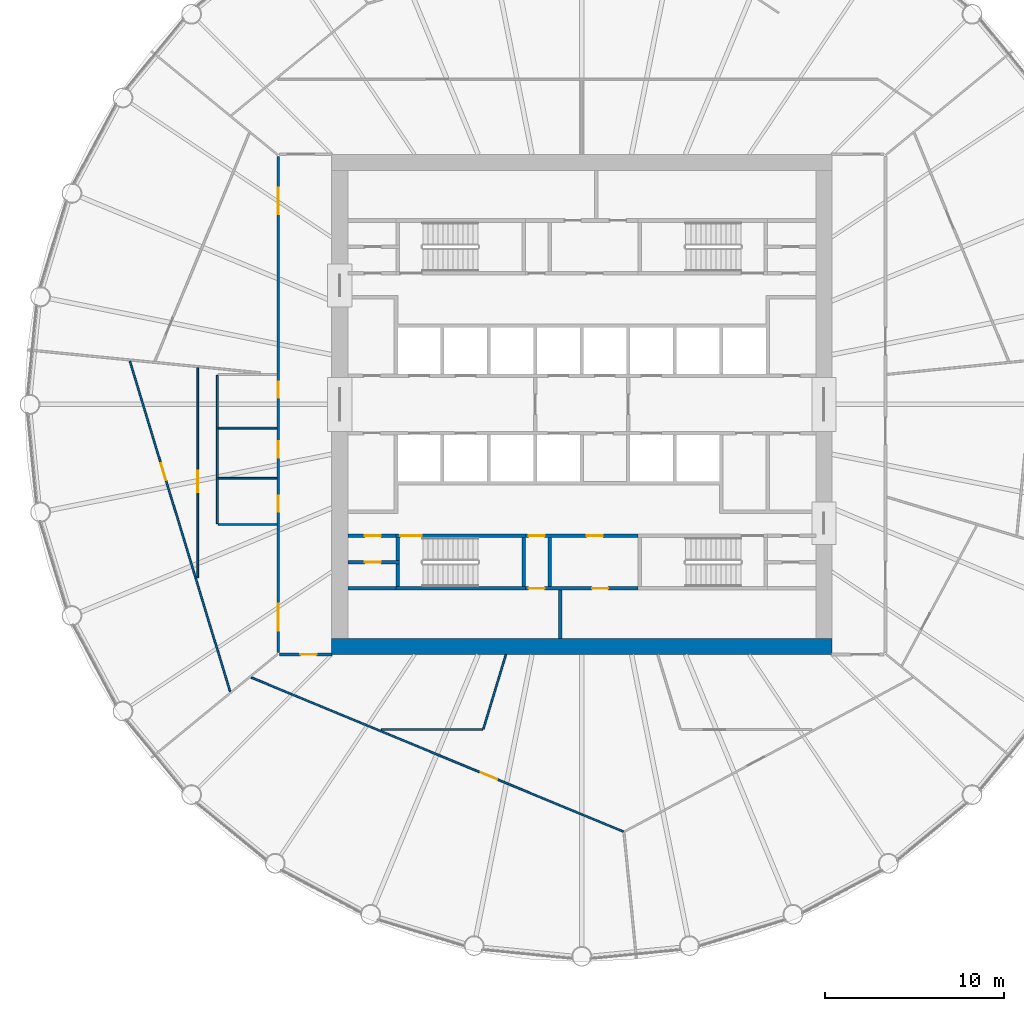
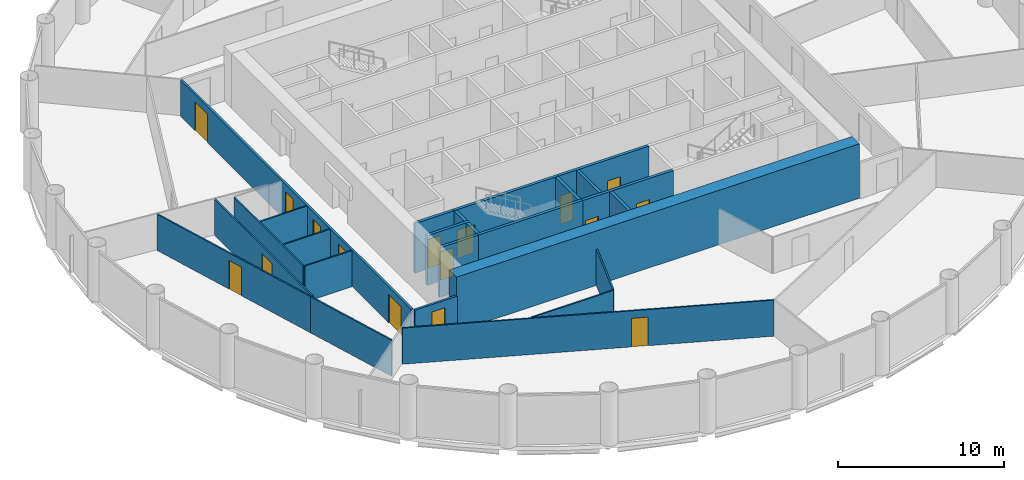
# One storey, part 4 of 9: 25 walls, 16 doors, 16 openings.
"""IFC4 building model written with IfcOpenShell, lengths in metres."""

from ifc_helpers import new_model, si_unit, direction, frame, frame_2d, origin, place, context, subcontext, project, spatial, polyline, rectangle, outline, extrude, material, layer, layer_set, type_object, element, fill, save


model = new_model("IFC4")

# Units and contexts
model_context = context("Model", 3, precision=1e-05, world=origin(), true_north=direction((0.0, 1.0)))
body_context = subcontext(model_context, "Body", "Model", "MODEL_VIEW")
ifc_project = project(units=[si_unit("LENGTHUNIT", "METRE"), si_unit("AREAUNIT", "SQUARE_METRE"), si_unit("VOLUMEUNIT", "CUBIC_METRE"), si_unit("PLANEANGLEUNIT", "RADIAN"), si_unit("MASSUNIT", "GRAM", prefix="KILO")], contexts=[model_context])

# Site, building, storey
site_placement = place(None, origin())
site = spatial("IfcSite", under=ifc_project, at=site_placement, CompositionType="ELEMENT")
building_placement = place(site_placement, origin())
building = spatial("IfcBuilding", under=site, at=building_placement, Name="Corvane Civic Tower", CompositionType="ELEMENT")
storey_placement = place(building_placement, frame((0.0, 0.0, 192.0)))
storey = spatial("IfcBuildingStorey", under=building, at=storey_placement, Name="L45", CompositionType="ELEMENT", Elevation=192.0)

# Wall
ifc_material_1 = material(Name="Concrete C60/75", Category="concrete")
ifc_layer_1 = layer(ifc_material_1, 0.89990234375)
ifc_layer_set_1 = layer_set([ifc_layer_1], Name="Concrete C60/75")
wall_type_1 = type_object("IfcWallType", Name="CORE WALL 900 C60/75", PredefinedType="SHEAR", material=ifc_layer_set_1)
wall_1_placement = place(storey_placement, frame((-14.0, -13.550048828125, 0.0), z_axis=(0.0, 0.0, 1.0), x_axis=(1.0, 0.0, 0.0)))
element("IfcWall", 1, at=wall_1_placement, inside=storey, type_object=wall_type_1, Name="W-L45-core-S", PredefinedType="SHEAR", context=body_context, shape_type="SweptSolid", body=[
    extrude(rectangle(XDim=28.0, YDim=0.89990234375, at=frame_2d((14.0, 0.0))), origin(), (0.0, 0.0, 1.0), 4.0),
])

# Wall, openings, doors
ifc_material_2 = material(Name="Concrete C30/37", Category="concrete")
ifc_layer_2 = layer(ifc_material_2, 0.199951171875)
ifc_layer_set_2 = layer_set([ifc_layer_2], Name="Concrete C30/37")
wall_type_2 = type_object("IfcWallType", Name="CR-WALL-200", PredefinedType="PARTITIONING", material=ifc_layer_set_2)
wall_2_placement = place(storey_placement, frame((-3.14990234375, -10.300048828125, 0.0), z_axis=(0.0, 0.0, 1.0), x_axis=(1.0, 0.0, 0.0)))
wall_2 = element("IfcWall", 2, at=wall_2_placement, inside=storey, type_object=wall_type_2, Name="L45 partition wall", PredefinedType="PARTITIONING", context=body_context, shape_type="SweptSolid", body=[
    extrude(rectangle(XDim=6.2998046875, YDim=0.199951171875, at=frame_2d((3.14990234375, 0.0))), origin(), (0.0, 0.0, 1.0), 3.64990234375),
])
opening_1_placement = place(wall_2_placement, frame((0.175048828125, 0.0, 0.0)))
opening_1 = element("IfcOpeningElement", 3, at=opening_1_placement, cuts=wall_2, Name="Opening L45.C13", PredefinedType="OPENING", context=body_context, shape_type="SweptSolid", body=[
    extrude(rectangle(XDim=0.89990234375, YDim=2.10009765625, at=frame_2d((0.449951171875, 1.050048828125))), frame((0.0, 0.10986328125, 0.0), z_axis=(0.0, -1.0, 0.0), x_axis=(1.0, 0.0, 0.0)), (0.0, 0.0, 1.0), 0.219970703125),
])
opening_2_placement = place(wall_2_placement, frame((3.72509765625, 0.0, 0.0)))
opening_2 = element("IfcOpeningElement", 4, at=opening_2_placement, cuts=wall_2, Name="Opening L45.C14", PredefinedType="OPENING", context=body_context, shape_type="SweptSolid", body=[
    extrude(rectangle(XDim=0.89990234375, YDim=2.10009765625, at=frame_2d((0.449951171875, 1.050048828125))), frame((0.0, 0.10986328125, 0.0), z_axis=(0.0, -1.0, 0.0), x_axis=(1.0, 0.0, 0.0)), (0.0, 0.0, 1.0), 0.219970703125),
])
ifc_material_3 = material(Name="Steel fire door leaf", Category="steel")
door_type_1 = type_object("IfcDoorType", Name="CR-DOOR-900", OperationType="SINGLE_SWING_LEFT", PredefinedType="DOOR", material=ifc_material_3)
door_1_placement = place(opening_1_placement, origin())
door_1 = element("IfcDoor", 5, at=door_1_placement, inside=storey, type_object=door_type_1, Name="L45 door", OperationType="SINGLE_SWING_LEFT", OverallHeight=2.10009765625, OverallWidth=0.89990234375, PredefinedType="DOOR", context=body_context, shape_type="SweptSolid", body=[
    extrude(rectangle(XDim=0.89990234375, YDim=2.10009765625, at=frame_2d((0.449951171875, 1.050048828125))), frame((0.0, 0.02490234375, 0.0), z_axis=(0.0, -1.0, 0.0), x_axis=(1.0, 0.0, 0.0)), (0.0, 0.0, 1.0), 0.050048828125),
])
fill(opening_1, door_1)
door_2_placement = place(opening_2_placement, origin())
door_2 = element("IfcDoor", 6, at=door_2_placement, inside=storey, type_object=door_type_1, Name="L45 door", OperationType="SINGLE_SWING_LEFT", OverallHeight=2.10009765625, OverallWidth=0.89990234375, PredefinedType="DOOR", context=body_context, shape_type="SweptSolid", body=[
    extrude(rectangle(XDim=0.89990234375, YDim=2.10009765625, at=frame_2d((0.449951171875, 1.050048828125))), frame((0.0, 0.02490234375, 0.0), z_axis=(0.0, -1.0, 0.0), x_axis=(1.0, 0.0, 0.0)), (0.0, 0.0, 1.0), 0.050048828125),
])
fill(opening_2, door_2)

# Wall, opening, door
wall_3_placement = place(storey_placement, frame((-13.10009765625, -8.824951171875, 0.0), z_axis=(0.0, 0.0, 1.0), x_axis=(1.0, 0.0, 0.0)))
wall_3 = element("IfcWall", 7, at=wall_3_placement, inside=storey, type_object=wall_type_2, Name="L45 partition wall", PredefinedType="PARTITIONING", context=body_context, shape_type="SweptSolid", body=[
    extrude(rectangle(XDim=2.900146484375, YDim=0.199951171875, at=frame_2d((1.4501953125, 0.0))), origin(), (0.0, 0.0, 1.0), 3.64990234375),
])
opening_3_placement = place(wall_3_placement, frame((0.949951171875, 0.0, 0.0)))
opening_3 = element("IfcOpeningElement", 8, at=opening_3_placement, cuts=wall_3, Name="Opening L45.C18", PredefinedType="OPENING", context=body_context, shape_type="SweptSolid", body=[
    extrude(rectangle(XDim=0.89990234375, YDim=2.10009765625, at=frame_2d((0.449951171875, 1.050048828125))), frame((0.0, 0.10986328125, 0.0), z_axis=(0.0, -1.0, 0.0), x_axis=(1.0, 0.0, 0.0)), (0.0, 0.0, 1.0), 0.219970703125),
])
door_3_placement = place(opening_3_placement, origin())
door_3 = element("IfcDoor", 9, at=door_3_placement, inside=storey, type_object=door_type_1, Name="L45 door", OperationType="SINGLE_SWING_LEFT", OverallHeight=2.10009765625, OverallWidth=0.89990234375, PredefinedType="DOOR", context=body_context, shape_type="SweptSolid", body=[
    extrude(rectangle(XDim=0.89990234375, YDim=2.10009765625, at=frame_2d((0.449951171875, 1.050048828125))), frame((0.0, 0.02490234375, 0.0), z_axis=(0.0, -1.0, 0.0), x_axis=(1.0, 0.0, 0.0)), (0.0, 0.0, 1.0), 0.050048828125),
])
fill(opening_3, door_3)

wall_4_placement = place(storey_placement, frame((-13.10009765625, -7.35009765625, 0.0), z_axis=(0.0, 0.0, 1.0), x_axis=(1.0, 0.0, 0.0)))
wall_4 = element("IfcWall", 10, at=wall_4_placement, inside=storey, type_object=wall_type_2, Name="L45 core partition wall", PredefinedType="PARTITIONING", context=body_context, shape_type="SweptSolid", body=[
    extrude(rectangle(XDim=2.7001953125, YDim=0.199951171875, at=frame_2d((1.35009765625, 0.0))), origin(), (0.0, 0.0, 1.0), 3.64990234375),
])
opening_4_placement = place(wall_4_placement, frame((0.949951171875, 0.0, 0.0)))
opening_4 = element("IfcOpeningElement", 11, at=opening_4_placement, cuts=wall_4, Name="Opening L45.C17", PredefinedType="OPENING", context=body_context, shape_type="SweptSolid", body=[
    extrude(rectangle(XDim=0.89990234375, YDim=2.10009765625, at=frame_2d((0.449951171875, 1.050048828125))), frame((0.0, 0.10986328125, 0.0), z_axis=(0.0, -1.0, 0.0), x_axis=(1.0, 0.0, 0.0)), (0.0, 0.0, 1.0), 0.219970703125),
])
door_4_placement = place(opening_4_placement, origin())
door_4 = element("IfcDoor", 12, at=door_4_placement, inside=storey, type_object=door_type_1, Name="L45 door", OperationType="SINGLE_SWING_LEFT", OverallHeight=2.10009765625, OverallWidth=0.89990234375, PredefinedType="DOOR", context=body_context, shape_type="SweptSolid", body=[
    extrude(rectangle(XDim=0.89990234375, YDim=2.10009765625, at=frame_2d((0.449951171875, 1.050048828125))), frame((0.0, 0.02490234375, 0.0), z_axis=(0.0, -1.0, 0.0), x_axis=(1.0, 0.0, 0.0)), (0.0, 0.0, 1.0), 0.050048828125),
])
fill(opening_4, door_4)

# Wall, openings, doors
wall_5_placement = place(storey_placement, frame((-3.14990234375, -7.35009765625, 0.0), z_axis=(0.0, 0.0, 1.0), x_axis=(1.0, 0.0, 0.0)))
wall_5 = element("IfcWall", 13, at=wall_5_placement, inside=storey, type_object=wall_type_2, Name="L45 core partition wall", PredefinedType="PARTITIONING", context=body_context, shape_type="SweptSolid", body=[
    extrude(rectangle(XDim=6.2998046875, YDim=0.199951171875, at=frame_2d((3.14990234375, 0.0))), origin(), (0.0, 0.0, 1.0), 3.64990234375),
])
opening_5_placement = place(wall_5_placement, frame((0.175048828125, 0.0, 0.0)))
opening_5 = element("IfcOpeningElement", 14, at=opening_5_placement, cuts=wall_5, Name="Opening L45.C09", PredefinedType="OPENING", context=body_context, shape_type="SweptSolid", body=[
    extrude(rectangle(XDim=0.89990234375, YDim=2.10009765625, at=frame_2d((0.449951171875, 1.050048828125))), frame((0.0, 0.10986328125, 0.0), z_axis=(0.0, -1.0, 0.0), x_axis=(1.0, 0.0, 0.0)), (0.0, 0.0, 1.0), 0.219970703125),
])
opening_6_placement = place(wall_5_placement, frame((3.425048828125, 0.0, 0.0)))
opening_6 = element("IfcOpeningElement", 15, at=opening_6_placement, cuts=wall_5, Name="Opening L45.C10", PredefinedType="OPENING", context=body_context, shape_type="SweptSolid", body=[
    extrude(rectangle(XDim=0.89990234375, YDim=2.10009765625, at=frame_2d((0.449951171875, 1.050048828125))), frame((0.0, 0.10986328125, 0.0), z_axis=(0.0, -1.0, 0.0), x_axis=(1.0, 0.0, 0.0)), (0.0, 0.0, 1.0), 0.219970703125),
])
door_5_placement = place(opening_5_placement, origin())
door_5 = element("IfcDoor", 16, at=door_5_placement, inside=storey, type_object=door_type_1, Name="L45 door", OperationType="SINGLE_SWING_LEFT", OverallHeight=2.10009765625, OverallWidth=0.89990234375, PredefinedType="DOOR", context=body_context, shape_type="SweptSolid", body=[
    extrude(rectangle(XDim=0.89990234375, YDim=2.10009765625, at=frame_2d((0.449951171875, 1.050048828125))), frame((0.0, 0.02490234375, 0.0), z_axis=(0.0, -1.0, 0.0), x_axis=(1.0, 0.0, 0.0)), (0.0, 0.0, 1.0), 0.050048828125),
])
fill(opening_5, door_5)
door_6_placement = place(opening_6_placement, origin())
door_6 = element("IfcDoor", 17, at=door_6_placement, inside=storey, type_object=door_type_1, Name="L45 door", OperationType="SINGLE_SWING_LEFT", OverallHeight=2.10009765625, OverallWidth=0.89990234375, PredefinedType="DOOR", context=body_context, shape_type="SweptSolid", body=[
    extrude(rectangle(XDim=0.89990234375, YDim=2.10009765625, at=frame_2d((0.449951171875, 1.050048828125))), frame((0.0, 0.02490234375, 0.0), z_axis=(0.0, -1.0, 0.0), x_axis=(1.0, 0.0, 0.0)), (0.0, 0.0, 1.0), 0.050048828125),
])
fill(opening_6, door_6)

# Walls
wall_6_placement = place(storey_placement, origin())
element("IfcWall", 18, at=wall_6_placement, inside=storey, type_object=wall_type_2, Name="L45 core partition wall", PredefinedType="PARTITIONING", context=body_context, shape_type="SweptSolid", body=[
    extrude(outline(polyline([(-10.39990234375, -10.39990234375), (-13.10009765625, -10.39990234375), (-13.10009765625, -10.199951171875), (-10.39990234375, -10.199951171875), (-10.39990234375, -10.39990234375)])), origin(), (0.0, 0.0, 1.0), 3.64990234375),
])
wall_7_placement = place(storey_placement, origin())
element("IfcWall", 19, at=wall_7_placement, inside=storey, type_object=wall_type_2, Name="L45 core partition wall", PredefinedType="PARTITIONING", context=body_context, shape_type="SweptSolid", body=[
    extrude(outline(polyline([(-1.699951171875, -7.449951171875), (-1.699951171875, -10.199951171875), (-1.89990234375, -10.199951171875), (-1.89990234375, -7.449951171875), (-1.699951171875, -7.449951171875)])), origin(), (0.0, 0.0, 1.0), 3.64990234375),
])
wall_8_placement = place(storey_placement, origin())
element("IfcWall", 20, at=wall_8_placement, inside=storey, type_object=wall_type_2, Name="L45 core partition wall", PredefinedType="PARTITIONING", context=body_context, shape_type="SweptSolid", body=[
    extrude(outline(polyline([(-1.10009765625, -13.10009765625), (-1.300048828125, -13.10009765625), (-1.300048828125, -10.39990234375), (-1.10009765625, -10.39990234375), (-1.10009765625, -13.10009765625)])), origin(), (0.0, 0.0, 1.0), 3.64990234375),
])

# Wall, opening, door
ifc_material_4 = material(Name="Plasterboard")
ifc_layer_3 = layer(ifc_material_4, 0.10009765625)
ifc_layer_set_3 = layer_set([ifc_layer_3], Name="Plasterboard")
wall_type_3 = type_object("IfcWallType", Name="Partition 100 plasterboard on studs", PredefinedType="PARTITIONING", material=ifc_layer_set_3)
wall_9_placement = place(storey_placement, frame((-18.50732421875, -15.28369140625, 0.0), z_axis=(0.0, 0.0, 1.0), x_axis=(0.923875921355, -0.382692150351, 0.0)))
wall_9 = element("IfcWall", 21, at=wall_9_placement, inside=storey, type_object=wall_type_3, Name="Partition L45.002", PredefinedType="PARTITIONING", context=body_context, shape_type="SweptSolid", body=[
    extrude(rectangle(XDim=22.552978515625, YDim=0.10009765625, at=frame_2d((11.2763671875, 0.0))), origin(), (0.0, 0.0, 1.0), 2.64990234375),
])
opening_7_placement = place(wall_9_placement, frame((13.90966796875, 0.0, 0.0)))
opening_7 = element("IfcOpeningElement", 22, at=opening_7_placement, cuts=wall_9, Name="Opening L45.008", PredefinedType="OPENING", context=body_context, shape_type="SweptSolid", body=[
    extrude(rectangle(XDim=1.0, YDim=2.10009765625, at=frame_2d((0.5, 1.050048828125))), frame((0.0, 0.06005859375, 0.0), z_axis=(0.0, -1.0, 0.0), x_axis=(1.0, 0.0, 0.0)), (0.0, 0.0, 1.0), 0.1201171875),
])
ifc_material_5 = material(Name="Timber", Category="wood")
door_type_2 = type_object("IfcDoorType", Name="Single door 1000", OperationType="NOTDEFINED", PredefinedType="DOOR", material=ifc_material_5)
door_7_placement = place(opening_7_placement, frame((1.0, 0.0, 0.0), z_axis=(0.0, 0.0, 1.0), x_axis=(-1.0, 0.0, 0.0)))
door_7 = element("IfcDoor", 23, at=door_7_placement, inside=storey, type_object=door_type_2, Name="Door L45.008", OperationType="SINGLE_SWING_LEFT", OverallHeight=2.10009765625, OverallWidth=1.0, PredefinedType="DOOR", context=body_context, shape_type="SweptSolid", body=[
    extrude(rectangle(XDim=1.0, YDim=2.10009765625, at=frame_2d((0.5, 1.050048828125))), frame((0.0, 0.02490234375, 0.0), z_axis=(0.0, -1.0, 0.0), x_axis=(1.0, 0.0, 0.0)), (0.0, 0.0, 1.0), 0.050048828125),
])
fill(opening_7, door_7)

# Walls
wall_10_placement = place(storey_placement, frame((-11.215576171875, -18.199951171875, 0.0), z_axis=(0.0, 0.0, 1.0), x_axis=(1.0, 0.0, 0.0)))
element("IfcWall", 24, at=wall_10_placement, inside=storey, type_object=wall_type_3, Name="Partition L45.006", PredefinedType="PARTITIONING", context=body_context, shape_type="SweptSolid", body=[
    extrude(rectangle(XDim=5.657470703125, YDim=0.10009765625, at=frame_2d((2.82861328125, 0.0))), origin(), (0.0, 0.0, 1.0), 2.64990234375),
])
wall_11_placement = place(storey_placement, frame((-5.510009765625, -18.16455078125, 0.0), z_axis=(0.0, 0.0, 1.0), x_axis=(0.290259621343, 0.956947936002, 0.0)))
element("IfcWall", 25, at=wall_11_placement, inside=storey, type_object=wall_type_3, Name="Partition L45.008", PredefinedType="PARTITIONING", context=body_context, shape_type="SweptSolid", body=[
    extrude(rectangle(XDim=4.351806640625, YDim=0.10009765625, at=frame_2d((2.17578125, 0.0))), origin(), (0.0, 0.0, 1.0), 2.64990234375),
])
wall_12_placement = place(storey_placement, frame((-21.6162109375, -9.718505859375, 0.0), z_axis=(0.0, 0.0, 1.0), x_axis=(0.290275897765, -0.956942998917, 0.0)))
element("IfcWall", 26, at=wall_12_placement, inside=storey, type_object=wall_type_3, Name="Partition L45.010", PredefinedType="PARTITIONING", context=body_context, shape_type="SweptSolid", body=[
    extrude(rectangle(XDim=6.63671875, YDim=0.10009765625, at=frame_2d((3.318359375, 0.0))), origin(), (0.0, 0.0, 1.0), 2.64990234375),
])

# Wall, opening, door
wall_13_placement = place(storey_placement, frame((-25.29931640625, 2.42236328125, 0.0), z_axis=(0.0, 0.0, 1.0), x_axis=(0.290300056744, -0.95693567028, 0.0)))
wall_13 = element("IfcWall", 27, at=wall_13_placement, inside=storey, type_object=wall_type_3, Name="Partition L45.016", PredefinedType="PARTITIONING", context=body_context, shape_type="SweptSolid", body=[
    extrude(rectangle(XDim=12.687255859375, YDim=0.10009765625, at=frame_2d((6.34375, 0.0))), origin(), (0.0, 0.0, 1.0), 2.64990234375),
])
opening_8_placement = place(wall_13_placement, frame((5.9697265625, 0.0, 0.0)))
opening_8 = element("IfcOpeningElement", 28, at=opening_8_placement, cuts=wall_13, Name="Opening L45.018", PredefinedType="OPENING", context=body_context, shape_type="SweptSolid", body=[
    extrude(rectangle(XDim=1.0, YDim=2.10009765625, at=frame_2d((0.5, 1.050048828125))), frame((0.0, 0.06005859375, 0.0), z_axis=(0.0, -1.0, 0.0), x_axis=(1.0, 0.0, 0.0)), (0.0, 0.0, 1.0), 0.1201171875),
])
door_8_placement = place(opening_8_placement, frame((1.0, 0.0, 0.0), z_axis=(0.0, 0.0, 1.0), x_axis=(-1.0, 0.0, 0.0)))
door_8 = element("IfcDoor", 29, at=door_8_placement, inside=storey, type_object=door_type_2, Name="Door L45.018", OperationType="SINGLE_SWING_LEFT", OverallHeight=2.10009765625, OverallWidth=1.0, PredefinedType="DOOR", context=body_context, shape_type="SweptSolid", body=[
    extrude(rectangle(XDim=1.0, YDim=2.10009765625, at=frame_2d((0.5, 1.050048828125))), frame((0.0, 0.02490234375, 0.0), z_axis=(0.0, -1.0, 0.0), x_axis=(1.0, 0.0, 0.0)), (0.0, 0.0, 1.0), 0.050048828125),
])
fill(opening_8, door_8)

wall_14_placement = place(storey_placement, frame((-21.5, -9.691162109375, 0.0), z_axis=(0.0, 0.0, 1.0), x_axis=(0.0, 1.0, 0.0)))
wall_14 = element("IfcWall", 30, at=wall_14_placement, inside=storey, type_object=wall_type_3, Name="Partition L45.017", PredefinedType="PARTITIONING", context=body_context, shape_type="SweptSolid", body=[
    extrude(rectangle(XDim=11.753662109375, YDim=0.10009765625, at=frame_2d((5.876953125, 0.0))), origin(), (0.0, 0.0, 1.0), 2.64990234375),
])
opening_9_placement = place(wall_14_placement, frame((4.7890625, 0.0, 0.0)))
opening_9 = element("IfcOpeningElement", 31, at=opening_9_placement, cuts=wall_14, Name="Opening L45.019", PredefinedType="OPENING", context=body_context, shape_type="SweptSolid", body=[
    extrude(rectangle(XDim=1.199951171875, YDim=2.10009765625, at=frame_2d((0.60009765625, 1.050048828125))), frame((0.0, 0.06005859375, 0.0), z_axis=(0.0, -1.0, 0.0), x_axis=(1.0, 0.0, 0.0)), (0.0, 0.0, 1.0), 0.1201171875),
])
ifc_material_6 = material(Name="Timber", Category="wood")
door_type_3 = type_object("IfcDoorType", Name="Double door 1200", OperationType="NOTDEFINED", PredefinedType="DOOR", material=ifc_material_6)
door_9_placement = place(opening_9_placement, origin())
door_9 = element("IfcDoor", 32, at=door_9_placement, inside=storey, type_object=door_type_3, Name="Door L45.019", OperationType="DOUBLE_DOOR_SINGLE_SWING", OverallHeight=2.10009765625, OverallWidth=1.199951171875, PredefinedType="DOOR", context=body_context, shape_type="SweptSolid", body=[
    extrude(rectangle(XDim=1.199951171875, YDim=2.10009765625, at=frame_2d((0.60009765625, 1.050048828125))), frame((0.0, 0.02490234375, 0.0), z_axis=(0.0, -1.0, 0.0), x_axis=(1.0, 0.0, 0.0)), (0.0, 0.0, 1.0), 0.050048828125),
])
fill(opening_9, door_9)

# Walls
wall_15_placement = place(storey_placement, frame((-20.35009765625, -6.7255859375, 0.0), z_axis=(0.0, 0.0, 1.0), x_axis=(1.0, 0.0, 0.0)))
element("IfcWall", 33, at=wall_15_placement, inside=storey, type_object=wall_type_3, Name="Partition L45.020", PredefinedType="PARTITIONING", context=body_context, shape_type="SweptSolid", body=[
    extrude(rectangle(XDim=3.275146484375, YDim=0.10009765625, at=frame_2d((1.6376953125, 0.0))), origin(), (0.0, 0.0, 1.0), 2.64990234375),
])
wall_16_placement = place(storey_placement, frame((-20.39990234375, -6.675537109375, 0.0), z_axis=(0.0, 0.0, 1.0), x_axis=(0.0, 1.0, 0.0)))
element("IfcWall", 34, at=wall_16_placement, inside=storey, type_object=wall_type_3, Name="Partition L45.021", PredefinedType="PARTITIONING", context=body_context, shape_type="SweptSolid", body=[
    extrude(rectangle(XDim=8.300048828125, YDim=0.10009765625, at=frame_2d((4.14990234375, 0.0))), origin(), (0.0, 0.0, 1.0), 2.64990234375),
])
for number, where, z_axis, x_axis, name in (
    (35, (-20.35009765625, -4.12548828125, 0.0), (0.0, 0.0, 1.0), (1.0, 0.0, 0.0), "Partition L45.022"),
    (36, (-20.35009765625, -1.32568359375, 0.0), (0.0, 0.0, 1.0), (1.0, 0.0, 0.0), "Partition L45.023"),
):
    element("IfcWall", number, at=place(storey_placement, frame(where, z_axis=z_axis, x_axis=x_axis)), inside=storey, type_object=wall_type_3, Name=name, PredefinedType="PARTITIONING", context=body_context, shape_type="SweptSolid", body=[
        extrude(rectangle(XDim=3.275146484375, YDim=0.10009765625, at=frame_2d((1.6376953125, 0.0))), origin(), (0.0, 0.0, 1.0), 2.64990234375),
    ])

# Wall, opening, door
ifc_material_7 = material(Name="Concrete C50/60", Category="concrete")
ifc_layer_4 = layer(ifc_material_7, 0.199951171875)
ifc_layer_set_4 = layer_set([ifc_layer_4], Name="Concrete C50/60")
wall_type_4 = type_object("IfcWallType", Name="ST-WALL-200", PredefinedType="SHEAR", material=ifc_layer_set_4)
wall_17_placement = place(storey_placement, frame((-10.39990234375, -7.35009765625, 0.0), z_axis=(0.0, 0.0, 1.0), x_axis=(1.0, 0.0, 0.0)))
wall_17 = element("IfcWall", 37, at=wall_17_placement, inside=storey, type_object=wall_type_4, Name="L45 stair enclosure wall", PredefinedType="SHEAR", context=body_context, shape_type="SweptSolid", body=[
    extrude(rectangle(XDim=7.25, YDim=0.199951171875, at=frame_2d((3.625, 0.0))), origin(), (0.0, 0.0, 1.0), 3.64990234375),
])
opening_10_placement = place(wall_17_placement, frame((0.25, 0.0, 0.0)))
opening_10 = element("IfcOpeningElement", 38, at=opening_10_placement, cuts=wall_17, Name="Opening L45.C26", PredefinedType="OPENING", context=body_context, shape_type="SweptSolid", body=[
    extrude(rectangle(XDim=1.199951171875, YDim=2.10009765625, at=frame_2d((0.60009765625, 1.050048828125))), frame((0.0, 0.10986328125, 0.0), z_axis=(0.0, -1.0, 0.0), x_axis=(1.0, 0.0, 0.0)), (0.0, 0.0, 1.0), 0.219970703125),
])
ifc_material_8 = material(Name="Steel fire door leaf", Category="steel")
door_type_4 = type_object("IfcDoorType", Name="ST-DOOR-1200", OperationType="SINGLE_SWING_RIGHT", PredefinedType="DOOR", material=ifc_material_8)
door_10_placement = place(opening_10_placement, origin())
door_10 = element("IfcDoor", 39, at=door_10_placement, inside=storey, type_object=door_type_4, Name="L45 stair door", OperationType="SINGLE_SWING_RIGHT", OverallHeight=2.10009765625, OverallWidth=1.199951171875, PredefinedType="DOOR", context=body_context, shape_type="SweptSolid", body=[
    extrude(rectangle(XDim=1.199951171875, YDim=2.10009765625, at=frame_2d((0.60009765625, 1.050048828125))), frame((0.0, 0.02490234375, 0.0), z_axis=(0.0, -1.0, 0.0), x_axis=(1.0, 0.0, 0.0)), (0.0, 0.0, 1.0), 0.050048828125),
])
fill(opening_10, door_10)

# Walls
wall_18_placement = place(storey_placement, origin())
element("IfcWall", 40, at=wall_18_placement, inside=storey, type_object=wall_type_4, Name="L45 stair enclosure wall", PredefinedType="SHEAR", context=body_context, shape_type="SweptSolid", body=[
    extrude(outline(polyline([(-3.14990234375, -10.199951171875), (-3.14990234375, -10.39990234375), (-10.39990234375, -10.39990234375), (-10.39990234375, -10.199951171875), (-3.14990234375, -10.199951171875)])), origin(), (0.0, 0.0, 1.0), 3.64990234375),
])
wall_19_placement = place(storey_placement, origin())
element("IfcWall", 41, at=wall_19_placement, inside=storey, type_object=wall_type_4, Name="L45 stair enclosure wall", PredefinedType="SHEAR", context=body_context, shape_type="SweptSolid", body=[
    extrude(outline(polyline([(-3.14990234375, -7.449951171875), (-3.14990234375, -10.199951171875), (-3.35009765625, -10.199951171875), (-3.35009765625, -7.449951171875), (-3.14990234375, -7.449951171875)])), origin(), (0.0, 0.0, 1.0), 3.64990234375),
])
wall_20_placement = place(storey_placement, origin())
element("IfcWall", 42, at=wall_20_placement, inside=storey, type_object=wall_type_4, Name="L45 stair enclosure wall", PredefinedType="SHEAR", context=body_context, shape_type="SweptSolid", body=[
    extrude(outline(polyline([(-10.199951171875, -7.449951171875), (-10.199951171875, -8.72509765625), (-10.39990234375, -8.72509765625), (-10.39990234375, -7.449951171875), (-10.199951171875, -7.449951171875)])), origin(), (0.0, 0.0, 1.0), 3.64990234375),
])
wall_21_placement = place(storey_placement, origin())
element("IfcWall", 43, at=wall_21_placement, inside=storey, type_object=wall_type_4, Name="L45 stair enclosure wall", PredefinedType="SHEAR", context=body_context, shape_type="SweptSolid", body=[
    extrude(outline(polyline([(-10.199951171875, -8.925048828125), (-10.199951171875, -10.199951171875), (-10.39990234375, -10.199951171875), (-10.39990234375, -8.925048828125), (-10.199951171875, -8.925048828125)])), origin(), (0.0, 0.0, 1.0), 3.64990234375),
])

# Wall, opening, door
ifc_material_9 = material(Name="Plasterboard")
ifc_layer_5 = layer(ifc_material_9, 0.14990234375)
ifc_layer_set_5 = layer_set([ifc_layer_5], Name="Plasterboard")
wall_type_5 = type_object("IfcWallType", Name="Tenancy wall 150 EI 60", PredefinedType="PARTITIONING", material=ifc_layer_set_5)
wall_22_placement = place(storey_placement, frame((-16.925048828125, -14.0, 0.0), z_axis=(0.0, 0.0, 1.0), x_axis=(1.0, 0.0, 0.0)))
wall_22 = element("IfcWall", 44, at=wall_22_placement, inside=storey, type_object=wall_type_5, Name="Partition L45.012", PredefinedType="PARTITIONING", context=body_context, shape_type="SweptSolid", body=[
    extrude(rectangle(XDim=2.93505859375, YDim=0.14990234375, at=frame_2d((1.467529296875, 0.0))), origin(), (0.0, 0.0, 1.0), 2.64990234375),
])
opening_11_placement = place(wall_22_placement, frame((1.177490234375, 0.0, 0.0)))
opening_11 = element("IfcOpeningElement", 45, at=opening_11_placement, cuts=wall_22, Name="Opening L45.011", PredefinedType="OPENING", context=body_context, shape_type="SweptSolid", body=[
    extrude(rectangle(XDim=0.89990234375, YDim=2.10009765625, at=frame_2d((0.449951171875, 1.050048828125))), frame((0.0, 0.0849609375, 0.0), z_axis=(0.0, -1.0, 0.0), x_axis=(1.0, 0.0, 0.0)), (0.0, 0.0, 1.0), 0.169921875),
])
ifc_material_10 = material(Name="Steel and timber", Category="steel")
door_type_5 = type_object("IfcDoorType", Name="Fire door FD30S 900", OperationType="NOTDEFINED", PredefinedType="DOOR", material=ifc_material_10)
door_11_placement = place(opening_11_placement, frame((0.89990234375, 0.0, 0.0), z_axis=(0.0, 0.0, 1.0), x_axis=(-1.0, 0.0, 0.0)))
door_11 = element("IfcDoor", 46, at=door_11_placement, inside=storey, type_object=door_type_5, Name="Door L45.011", OperationType="SINGLE_SWING_LEFT", OverallHeight=2.10009765625, OverallWidth=0.89990234375, PredefinedType="DOOR", context=body_context, shape_type="SweptSolid", body=[
    extrude(rectangle(XDim=0.89990234375, YDim=2.10009765625, at=frame_2d((0.449951171875, 1.050048828125))), frame((0.0, 0.02490234375, 0.0), z_axis=(0.0, -1.0, 0.0), x_axis=(1.0, 0.0, 0.0)), (0.0, 0.0, 1.0), 0.050048828125),
])
fill(opening_11, door_11)

# Wall, openings, doors
wall_23_placement = place(storey_placement, frame((-17.0, -13.87646484375, 0.0), z_axis=(0.0, 0.0, 1.0), x_axis=(0.0, 1.0, 0.0)))
wall_23 = element("IfcWall", 47, at=wall_23_placement, inside=storey, type_object=wall_type_5, Name="Partition L45.014", PredefinedType="PARTITIONING", context=body_context, shape_type="SweptSolid", body=[
    extrude(rectangle(XDim=27.7529296875, YDim=0.14990234375, at=frame_2d((13.87646484375, 0.0))), origin(), (0.0, 0.0, 1.0), 2.64990234375),
])
opening_12_placement = place(wall_23_placement, frame((1.220947265625, 0.0, 0.0)))
opening_12 = element("IfcOpeningElement", 48, at=opening_12_placement, cuts=wall_23, Name="Opening L45.020", PredefinedType="OPENING", context=body_context, shape_type="SweptSolid", body=[
    extrude(rectangle(XDim=1.5, YDim=2.10009765625, at=frame_2d((0.75, 1.050048828125))), frame((0.0, 0.0849609375, 0.0), z_axis=(0.0, -1.0, 0.0), x_axis=(1.0, 0.0, 0.0)), (0.0, 0.0, 1.0), 0.169921875),
])
opening_13_placement = place(wall_23_placement, frame((14.246826171875, 0.0, 0.0)))
opening_13 = element("IfcOpeningElement", 49, at=opening_13_placement, cuts=wall_23, Name="Opening L45.021", PredefinedType="OPENING", context=body_context, shape_type="SweptSolid", body=[
    extrude(rectangle(XDim=0.89990234375, YDim=2.10009765625, at=frame_2d((0.449951171875, 1.050048828125))), frame((0.0, 0.0849609375, 0.0), z_axis=(0.0, -1.0, 0.0), x_axis=(1.0, 0.0, 0.0)), (0.0, 0.0, 1.0), 0.169921875),
])
opening_14_placement = place(wall_23_placement, frame((10.904052734375, 0.0, 0.0)))
opening_14 = element("IfcOpeningElement", 50, at=opening_14_placement, cuts=wall_23, Name="Opening L45.022", PredefinedType="OPENING", context=body_context, shape_type="SweptSolid", body=[
    extrude(rectangle(XDim=0.89990234375, YDim=2.10009765625, at=frame_2d((0.449951171875, 1.050048828125))), frame((0.0, 0.0849609375, 0.0), z_axis=(0.0, -1.0, 0.0), x_axis=(1.0, 0.0, 0.0)), (0.0, 0.0, 1.0), 0.169921875),
])
opening_15_placement = place(wall_23_placement, frame((7.869873046875, 0.0, 0.0)))
opening_15 = element("IfcOpeningElement", 51, at=opening_15_placement, cuts=wall_23, Name="Opening L45.023", PredefinedType="OPENING", context=body_context, shape_type="SweptSolid", body=[
    extrude(rectangle(XDim=0.89990234375, YDim=2.10009765625, at=frame_2d((0.449951171875, 1.050048828125))), frame((0.0, 0.0849609375, 0.0), z_axis=(0.0, -1.0, 0.0), x_axis=(1.0, 0.0, 0.0)), (0.0, 0.0, 1.0), 0.169921875),
])
opening_16_placement = place(wall_23_placement, frame((24.521484375, 0.0, 0.0)))
opening_16 = element("IfcOpeningElement", 52, at=opening_16_placement, cuts=wall_23, Name="Opening L45.025", PredefinedType="OPENING", context=body_context, shape_type="SweptSolid", body=[
    extrude(rectangle(XDim=1.5, YDim=2.10009765625, at=frame_2d((0.75, 1.050048828125))), frame((0.0, 0.0849609375, 0.0), z_axis=(0.0, -1.0, 0.0), x_axis=(1.0, 0.0, 0.0)), (0.0, 0.0, 1.0), 0.169921875),
])
door_12_placement = place(opening_13_placement, origin())
door_12 = element("IfcDoor", 53, at=door_12_placement, inside=storey, type_object=door_type_5, Name="Door L45.021", OperationType="SINGLE_SWING_LEFT", OverallHeight=2.10009765625, OverallWidth=0.89990234375, PredefinedType="DOOR", context=body_context, shape_type="SweptSolid", body=[
    extrude(rectangle(XDim=0.89990234375, YDim=2.10009765625, at=frame_2d((0.449951171875, 1.050048828125))), frame((0.0, 0.02490234375, 0.0), z_axis=(0.0, -1.0, 0.0), x_axis=(1.0, 0.0, 0.0)), (0.0, 0.0, 1.0), 0.050048828125),
])
fill(opening_13, door_12)
door_13_placement = place(opening_14_placement, origin())
door_13 = element("IfcDoor", 54, at=door_13_placement, inside=storey, type_object=door_type_5, Name="Door L45.022", OperationType="SINGLE_SWING_RIGHT", OverallHeight=2.10009765625, OverallWidth=0.89990234375, PredefinedType="DOOR", context=body_context, shape_type="SweptSolid", body=[
    extrude(rectangle(XDim=0.89990234375, YDim=2.10009765625, at=frame_2d((0.449951171875, 1.050048828125))), frame((0.0, 0.02490234375, 0.0), z_axis=(0.0, -1.0, 0.0), x_axis=(1.0, 0.0, 0.0)), (0.0, 0.0, 1.0), 0.050048828125),
])
fill(opening_14, door_13)
door_14_placement = place(opening_15_placement, origin())
door_14 = element("IfcDoor", 55, at=door_14_placement, inside=storey, type_object=door_type_5, Name="Door L45.023", OperationType="SINGLE_SWING_LEFT", OverallHeight=2.10009765625, OverallWidth=0.89990234375, PredefinedType="DOOR", context=body_context, shape_type="SweptSolid", body=[
    extrude(rectangle(XDim=0.89990234375, YDim=2.10009765625, at=frame_2d((0.449951171875, 1.050048828125))), frame((0.0, 0.02490234375, 0.0), z_axis=(0.0, -1.0, 0.0), x_axis=(1.0, 0.0, 0.0)), (0.0, 0.0, 1.0), 0.050048828125),
])
fill(opening_15, door_14)
ifc_material_11 = material(Name="Steel and timber", Category="steel")
door_type_6 = type_object("IfcDoorType", Name="Fire door FD60 double 1500", OperationType="NOTDEFINED", PredefinedType="DOOR", material=ifc_material_11)
door_15_placement = place(opening_12_placement, origin())
door_15 = element("IfcDoor", 56, at=door_15_placement, inside=storey, type_object=door_type_6, Name="Door L45.020", OperationType="DOUBLE_DOOR_SINGLE_SWING", OverallHeight=2.10009765625, OverallWidth=1.5, PredefinedType="DOOR", context=body_context, shape_type="SweptSolid", body=[
    extrude(rectangle(XDim=1.5, YDim=2.10009765625, at=frame_2d((0.75, 1.050048828125))), frame((0.0, 0.02490234375, 0.0), z_axis=(0.0, -1.0, 0.0), x_axis=(1.0, 0.0, 0.0)), (0.0, 0.0, 1.0), 0.050048828125),
])
fill(opening_12, door_15)
door_16_placement = place(opening_16_placement, origin())
door_16 = element("IfcDoor", 57, at=door_16_placement, inside=storey, type_object=door_type_6, Name="Door L45.025", OperationType="DOUBLE_DOOR_SINGLE_SWING", OverallHeight=2.10009765625, OverallWidth=1.5, PredefinedType="DOOR", context=body_context, shape_type="SweptSolid", body=[
    extrude(rectangle(XDim=1.5, YDim=2.10009765625, at=frame_2d((0.75, 1.050048828125))), frame((0.0, 0.02490234375, 0.0), z_axis=(0.0, -1.0, 0.0), x_axis=(1.0, 0.0, 0.0)), (0.0, 0.0, 1.0), 0.050048828125),
])
fill(opening_16, door_16)

save(model, "model.ifc")
